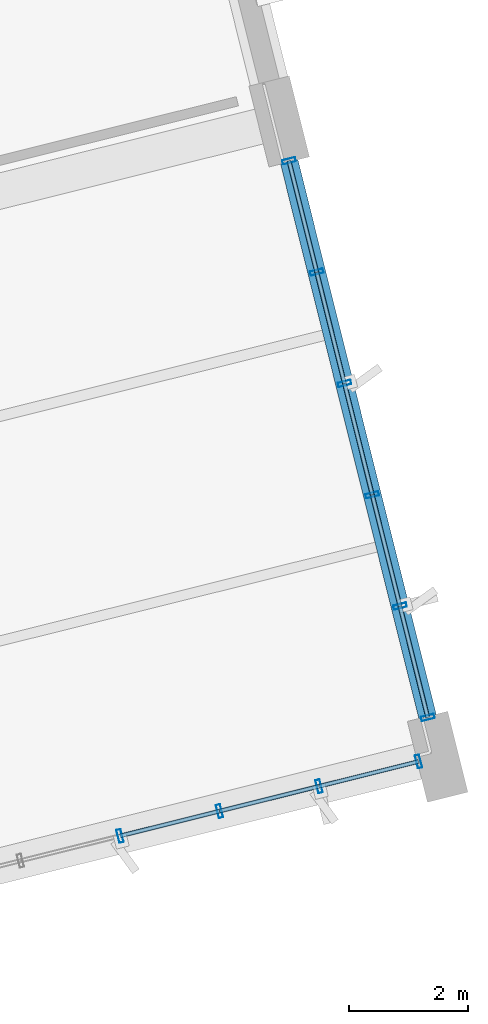
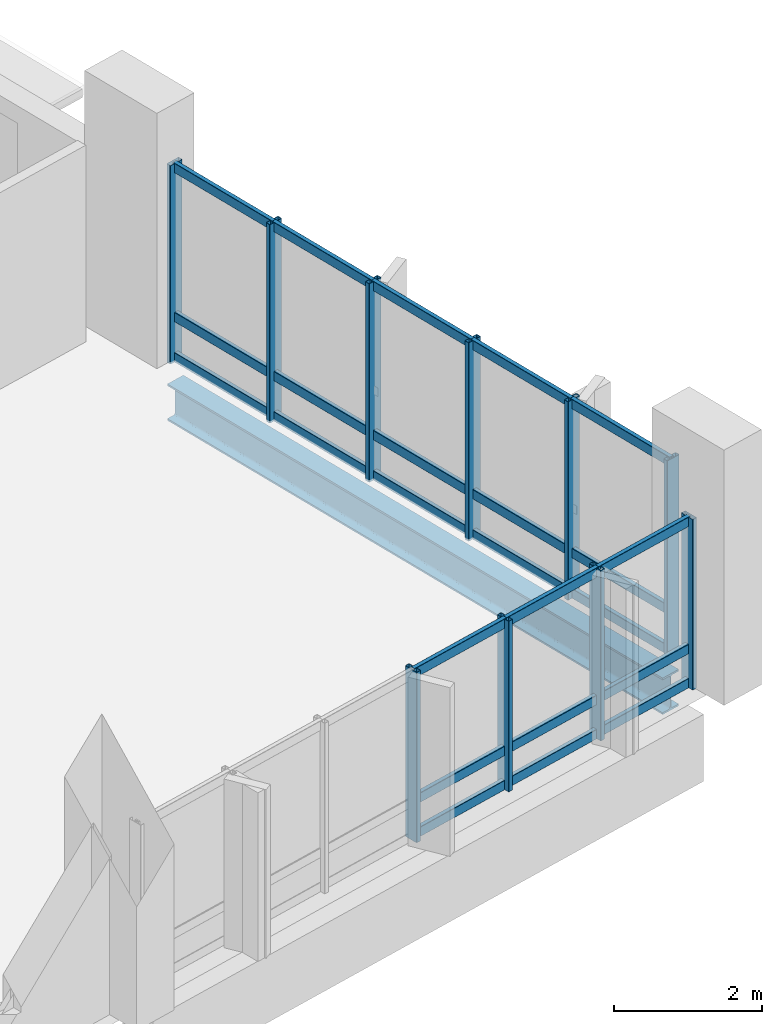
# One storey, part 36 of 75: 34 members, 1 beam, 2 elements without a shape of their own.
"""IFC4 building model written with IfcOpenShell, lengths in metres."""

from ifc_helpers import new_model, si_unit, direction, frame, origin, origin_2d, place, context, subcontext, project, spatial, hollow_rectangle, i_section, extrude, material, layer, layer_set, material_profile, profile_set, type_object, element, aggregate, save


model = new_model("IFC4")

# Units and contexts
model_context = context("Model", 3, precision=1e-05, world=origin(), true_north=direction((0.0, 1.0)))
body_context = subcontext(model_context, "Body", "Model", "MODEL_VIEW")
ifc_project = project(units=[si_unit("LENGTHUNIT", "METRE"), si_unit("AREAUNIT", "SQUARE_METRE"), si_unit("VOLUMEUNIT", "CUBIC_METRE"), si_unit("PLANEANGLEUNIT", "RADIAN"), si_unit("MASSUNIT", "GRAM", prefix="KILO")], contexts=[model_context])

# Site, building, storey
site_placement = place(None, origin())
site = spatial("IfcSite", under=ifc_project, at=site_placement, CompositionType="ELEMENT")
building_placement = place(site_placement, origin())
building = spatial("IfcBuilding", under=site, at=building_placement, Name="Khorjan Park Terminus", CompositionType="ELEMENT")
storey_placement = place(building_placement, frame((0.0, 0.0, 16.2)))
storey = spatial("IfcBuildingStorey", under=building, at=storey_placement, Name="L03", CompositionType="ELEMENT", Elevation=16.2)

# Beam
ifc_material_1 = material(Name="Steel S355", Category="steel")
ifc_material_profile_1 = material_profile(ifc_material_1, i_section(OverallWidth=0.3, OverallDepth=0.6, WebThickness=0.0155, FlangeThickness=0.03, FilletRadius=0.027, at=origin_2d()), Name="HEB 600")
ifc_profile_set_1 = profile_set([ifc_material_profile_1], Name="Steel S355")
beam_type = type_object("IfcBeamType", Name="BM-HEB600", PredefinedType="BEAM", material=ifc_profile_set_1)
beam_placement = place(storey_placement, frame((229.8714, 18.6412, -0.65), z_axis=(-0.241925915978, 0.970294723874, 0.0), x_axis=(-0.970294723874, -0.241925915978, 0.0)))
element("IfcBeam", 1, at=beam_placement, inside=storey, type_object=beam_type, Name="Primary skew-grid floor girder SB-B60 (L03)", PredefinedType="BEAM", context=body_context, shape_type="SweptSolid", body=[
    extrude(i_section(OverallWidth=0.3, OverallDepth=0.6, WebThickness=0.0155, FlangeThickness=0.03, FilletRadius=0.027, at=origin_2d()), origin(), (0.0, 0.0, 1.0), 9.61),
])

# Curtain wall, members
ifc_material_2 = material(Name="Anodized Bronze Aluminium", Category="aluminium")
ifc_layer = layer(ifc_material_2, 0.22)
ifc_layer_set = layer_set([ifc_layer], Name="Anodized Bronze Aluminium")
curtain_wall_type = type_object("IfcCurtainWallType", Name="CW-OPS-B", PredefinedType="NOTDEFINED", material=ifc_layer_set)
curtain_wall_1_placement = place(storey_placement, origin())
curtain_wall_1 = element("IfcCurtainWall", 2, at=curtain_wall_1_placement, inside=storey, type_object=curtain_wall_type, Name="Unitized curtain wall CW-B (CW-V5-S-L03-B05)", PredefinedType="NOTDEFINED")
ifc_material_profile_2 = material_profile(ifc_material_2, hollow_rectangle(XDim=0.075, YDim=0.225, WallThickness=0.005, InnerFilletRadius=0.005, OuterFilletRadius=0.01, at=origin_2d()), Name="ALM 75x225x5")
ifc_profile_set_2 = profile_set([ifc_material_profile_2], Name="Anodized Bronze Aluminium")
member_type_1 = type_object("IfcMemberType", Name="ML-ALM-225", PredefinedType="MULLION", material=ifc_profile_set_2)
member_1_placement = place(storey_placement, frame((224.703, 16.6363, -0.035), z_axis=(0.0, 0.0, 1.0), x_axis=(0.970296464407, 0.241918935098, 0.0)))
member_1 = element("IfcMember", 3, at=member_1_placement, type_object=member_type_1, Name="Curtain-wall mullion ML-22 (CW-V5-S-L03-B05-3)", PredefinedType="MULLION", context=body_context, shape_type="SweptSolid", body=[
    extrude(hollow_rectangle(XDim=0.075, YDim=0.225, WallThickness=0.005, InnerFilletRadius=0.005, OuterFilletRadius=0.01, at=origin_2d()), origin(), (0.0, 0.0, 1.0), 2.805),
])
member_2_placement = place(storey_placement, frame((226.3753, 17.0532, -0.035), z_axis=(0.0, 0.0, 1.0), x_axis=(0.970296464407, 0.241918935098, 0.0)))
member_2 = element("IfcMember", 4, at=member_2_placement, type_object=member_type_1, Name="Curtain-wall mullion ML-22 (CW-V5-S-L03-B05-4)", PredefinedType="MULLION", context=body_context, shape_type="SweptSolid", body=[
    extrude(hollow_rectangle(XDim=0.075, YDim=0.225, WallThickness=0.005, InnerFilletRadius=0.005, OuterFilletRadius=0.01, at=origin_2d()), origin(), (0.0, 0.0, 1.0), 2.805),
])
member_3_placement = place(storey_placement, frame((228.0476, 17.4702, -0.035), z_axis=(0.0, 0.0, 1.0), x_axis=(0.970296464407, 0.241918935098, 0.0)))
member_3 = element("IfcMember", 5, at=member_3_placement, type_object=member_type_1, Name="Curtain-wall mullion ML-22 (CW-V5-S-L03-B05-5)", PredefinedType="MULLION", context=body_context, shape_type="SweptSolid", body=[
    extrude(hollow_rectangle(XDim=0.075, YDim=0.225, WallThickness=0.005, InnerFilletRadius=0.005, OuterFilletRadius=0.01, at=origin_2d()), origin(), (0.0, 0.0, 1.0), 2.805),
])
member_4_placement = place(storey_placement, frame((229.7198, 17.8871, -0.035), z_axis=(0.0, 0.0, 1.0), x_axis=(0.970296464407, 0.241918935098, 0.0)))
member_4 = element("IfcMember", 6, at=member_4_placement, type_object=member_type_1, Name="Curtain-wall mullion ML-22 (CW-V5-S-L03-B05-6)", PredefinedType="MULLION", context=body_context, shape_type="SweptSolid", body=[
    extrude(hollow_rectangle(XDim=0.075, YDim=0.225, WallThickness=0.005, InnerFilletRadius=0.005, OuterFilletRadius=0.01, at=origin_2d()), origin(), (0.0, 0.0, 1.0), 2.805),
])

curtain_wall_2_placement = place(storey_placement, origin())
curtain_wall_2 = element("IfcCurtainWall", 7, at=curtain_wall_2_placement, inside=storey, type_object=curtain_wall_type, Name="Unitized curtain wall CW-B (CW-V5-E-L03-B01)", PredefinedType="NOTDEFINED")
member_5_placement = place(storey_placement, frame((229.875, 18.6267, -0.035), z_axis=(0.0, 0.0, 1.0), x_axis=(-0.241920488516, 0.9702960771, 0.0)))
member_5 = element("IfcMember", 8, at=member_5_placement, type_object=member_type_1, Name="Curtain-wall mullion ML-22 (CW-V5-E-L03-B01-0)", PredefinedType="MULLION", context=body_context, shape_type="SweptSolid", body=[
    extrude(hollow_rectangle(XDim=0.075, YDim=0.225, WallThickness=0.005, InnerFilletRadius=0.005, OuterFilletRadius=0.01, at=origin_2d()), origin(), (0.0, 0.0, 1.0), 3.265),
])
member_6_placement = place(storey_placement, frame((229.4086, 20.4974, -0.035), z_axis=(0.0, 0.0, 1.0), x_axis=(-0.241920488516, 0.9702960771, 0.0)))
member_6 = element("IfcMember", 9, at=member_6_placement, type_object=member_type_1, Name="Curtain-wall mullion ML-22 (CW-V5-E-L03-B01-1)", PredefinedType="MULLION", context=body_context, shape_type="SweptSolid", body=[
    extrude(hollow_rectangle(XDim=0.075, YDim=0.225, WallThickness=0.005, InnerFilletRadius=0.005, OuterFilletRadius=0.01, at=origin_2d()), origin(), (0.0, 0.0, 1.0), 3.265),
])
member_7_placement = place(storey_placement, frame((228.9422, 22.3681, -0.035), z_axis=(0.0, 0.0, 1.0), x_axis=(-0.241920488516, 0.9702960771, 0.0)))
member_7 = element("IfcMember", 10, at=member_7_placement, type_object=member_type_1, Name="Curtain-wall mullion ML-22 (CW-V5-E-L03-B01-2)", PredefinedType="MULLION", context=body_context, shape_type="SweptSolid", body=[
    extrude(hollow_rectangle(XDim=0.075, YDim=0.225, WallThickness=0.005, InnerFilletRadius=0.005, OuterFilletRadius=0.01, at=origin_2d()), origin(), (0.0, 0.0, 1.0), 3.265),
])
member_8_placement = place(storey_placement, frame((228.4757, 24.2389, -0.035), z_axis=(0.0, 0.0, 1.0), x_axis=(-0.241920488516, 0.9702960771, 0.0)))
member_8 = element("IfcMember", 11, at=member_8_placement, type_object=member_type_1, Name="Curtain-wall mullion ML-22 (CW-V5-E-L03-B01-3)", PredefinedType="MULLION", context=body_context, shape_type="SweptSolid", body=[
    extrude(hollow_rectangle(XDim=0.075, YDim=0.225, WallThickness=0.005, InnerFilletRadius=0.005, OuterFilletRadius=0.01, at=origin_2d()), origin(), (0.0, 0.0, 1.0), 3.265),
])
member_9_placement = place(storey_placement, frame((228.0093, 26.1096, -0.035), z_axis=(0.0, 0.0, 1.0), x_axis=(-0.241920488516, 0.9702960771, 0.0)))
member_9 = element("IfcMember", 12, at=member_9_placement, type_object=member_type_1, Name="Curtain-wall mullion ML-22 (CW-V5-E-L03-B01-4)", PredefinedType="MULLION", context=body_context, shape_type="SweptSolid", body=[
    extrude(hollow_rectangle(XDim=0.075, YDim=0.225, WallThickness=0.005, InnerFilletRadius=0.005, OuterFilletRadius=0.01, at=origin_2d()), origin(), (0.0, 0.0, 1.0), 3.265),
])
member_10_placement = place(storey_placement, frame((227.5429, 27.9803, -0.035), z_axis=(0.0, 0.0, 1.0), x_axis=(-0.241920488516, 0.9702960771, 0.0)))
member_10 = element("IfcMember", 13, at=member_10_placement, type_object=member_type_1, Name="Curtain-wall mullion ML-22 (CW-V5-E-L03-B01-5)", PredefinedType="MULLION", context=body_context, shape_type="SweptSolid", body=[
    extrude(hollow_rectangle(XDim=0.075, YDim=0.225, WallThickness=0.005, InnerFilletRadius=0.005, OuterFilletRadius=0.01, at=origin_2d()), origin(), (0.0, 0.0, 1.0), 3.265),
])

# Member
ifc_material_profile_3 = material_profile(ifc_material_2, hollow_rectangle(XDim=0.07, YDim=0.16, WallThickness=0.004, InnerFilletRadius=0.004, OuterFilletRadius=0.008, at=origin_2d()), Name="ALT 70x160x4")
ifc_profile_set_3 = profile_set([ifc_material_profile_3], Name="Anodized Bronze Aluminium")
member_type_2 = type_object("IfcMemberType", Name="TR-ALT-160", PredefinedType="USERDEFINED", material=ifc_profile_set_3)
member_11_placement = place(storey_placement, frame((224.703, 16.6363, 0.04), z_axis=(0.970302701845, 0.241893916402, 0.0), x_axis=(-0.241893916402, 0.970302701845, 0.0)))
member_11 = element("IfcMember", 14, at=member_11_placement, type_object=member_type_2, Name="Curtain-wall transom TR-16 (CW-V5-S-L03-B05-3-1)", ObjectType="TRANSOM", PredefinedType="USERDEFINED", context=body_context, shape_type="SweptSolid", body=[
    extrude(hollow_rectangle(XDim=0.07, YDim=0.16, WallThickness=0.004, InnerFilletRadius=0.004, OuterFilletRadius=0.008, at=origin_2d()), origin(), (0.0, 0.0, 1.0), 1.7235),
])

member_12_placement = place(storey_placement, frame((224.703, 16.6363, 0.602), z_axis=(0.970302701845, 0.241893916402, 0.0), x_axis=(-0.241893916402, 0.970302701845, 0.0)))
member_12 = element("IfcMember", 15, at=member_12_placement, type_object=member_type_2, Name="Curtain-wall transom TR-16 (CW-V5-S-L03-B05-3-2)", ObjectType="TRANSOM", PredefinedType="USERDEFINED", context=body_context, shape_type="SweptSolid", body=[
    extrude(hollow_rectangle(XDim=0.07, YDim=0.16, WallThickness=0.004, InnerFilletRadius=0.004, OuterFilletRadius=0.008, at=origin_2d()), origin(), (0.0, 0.0, 1.0), 1.7235),
])

member_13_placement = place(storey_placement, frame((224.703, 16.6363, 2.695), z_axis=(0.970302701845, 0.241893916402, 0.0), x_axis=(-0.241893916402, 0.970302701845, 0.0)))
member_13 = element("IfcMember", 16, at=member_13_placement, type_object=member_type_2, Name="Curtain-wall transom TR-16 (CW-V5-S-L03-B05-3-3)", ObjectType="TRANSOM", PredefinedType="USERDEFINED", context=body_context, shape_type="SweptSolid", body=[
    extrude(hollow_rectangle(XDim=0.07, YDim=0.16, WallThickness=0.004, InnerFilletRadius=0.004, OuterFilletRadius=0.008, at=origin_2d()), origin(), (0.0, 0.0, 1.0), 1.7235),
])

member_14_placement = place(storey_placement, frame((226.3753, 17.0532, 0.04), z_axis=(0.970289082125, 0.241948542275, 0.0), x_axis=(-0.241948542275, 0.970289082125, 0.0)))
member_14 = element("IfcMember", 17, at=member_14_placement, type_object=member_type_2, Name="Curtain-wall transom TR-16 (CW-V5-S-L03-B05-4-1)", ObjectType="TRANSOM", PredefinedType="USERDEFINED", context=body_context, shape_type="SweptSolid", body=[
    extrude(hollow_rectangle(XDim=0.07, YDim=0.16, WallThickness=0.004, InnerFilletRadius=0.004, OuterFilletRadius=0.008, at=origin_2d()), origin(), (0.0, 0.0, 1.0), 1.7235),
])

member_15_placement = place(storey_placement, frame((226.3753, 17.0532, 0.602), z_axis=(0.970289082125, 0.241948542275, 0.0), x_axis=(-0.241948542275, 0.970289082125, 0.0)))
member_15 = element("IfcMember", 18, at=member_15_placement, type_object=member_type_2, Name="Curtain-wall transom TR-16 (CW-V5-S-L03-B05-4-2)", ObjectType="TRANSOM", PredefinedType="USERDEFINED", context=body_context, shape_type="SweptSolid", body=[
    extrude(hollow_rectangle(XDim=0.07, YDim=0.16, WallThickness=0.004, InnerFilletRadius=0.004, OuterFilletRadius=0.008, at=origin_2d()), origin(), (0.0, 0.0, 1.0), 1.7235),
])

member_16_placement = place(storey_placement, frame((226.3753, 17.0532, 2.695), z_axis=(0.970289082125, 0.241948542275, 0.0), x_axis=(-0.241948542275, 0.970289082125, 0.0)))
member_16 = element("IfcMember", 19, at=member_16_placement, type_object=member_type_2, Name="Curtain-wall transom TR-16 (CW-V5-S-L03-B05-4-3)", ObjectType="TRANSOM", PredefinedType="USERDEFINED", context=body_context, shape_type="SweptSolid", body=[
    extrude(hollow_rectangle(XDim=0.07, YDim=0.16, WallThickness=0.004, InnerFilletRadius=0.004, OuterFilletRadius=0.008, at=origin_2d()), origin(), (0.0, 0.0, 1.0), 1.7235),
])

member_17_placement = place(storey_placement, frame((228.0476, 17.4702, 0.04), z_axis=(0.970299306534, 0.241907535518, 0.0), x_axis=(-0.241907535518, 0.970299306534, 0.0)))
member_17 = element("IfcMember", 20, at=member_17_placement, type_object=member_type_2, Name="Curtain-wall transom TR-16 (CW-V5-S-L03-B05-5-1)", ObjectType="TRANSOM", PredefinedType="USERDEFINED", context=body_context, shape_type="SweptSolid", body=[
    extrude(hollow_rectangle(XDim=0.07, YDim=0.16, WallThickness=0.004, InnerFilletRadius=0.004, OuterFilletRadius=0.008, at=origin_2d()), origin(), (0.0, 0.0, 1.0), 1.7234),
])

member_18_placement = place(storey_placement, frame((228.0476, 17.4702, 0.602), z_axis=(0.970299306534, 0.241907535518, 0.0), x_axis=(-0.241907535518, 0.970299306534, 0.0)))
member_18 = element("IfcMember", 21, at=member_18_placement, type_object=member_type_2, Name="Curtain-wall transom TR-16 (CW-V5-S-L03-B05-5-2)", ObjectType="TRANSOM", PredefinedType="USERDEFINED", context=body_context, shape_type="SweptSolid", body=[
    extrude(hollow_rectangle(XDim=0.07, YDim=0.16, WallThickness=0.004, InnerFilletRadius=0.004, OuterFilletRadius=0.008, at=origin_2d()), origin(), (0.0, 0.0, 1.0), 1.7234),
])

member_19_placement = place(storey_placement, frame((228.0476, 17.4702, 2.695), z_axis=(0.970299306534, 0.241907535518, 0.0), x_axis=(-0.241907535518, 0.970299306534, 0.0)))
member_19 = element("IfcMember", 22, at=member_19_placement, type_object=member_type_2, Name="Curtain-wall transom TR-16 (CW-V5-S-L03-B05-5-3)", ObjectType="TRANSOM", PredefinedType="USERDEFINED", context=body_context, shape_type="SweptSolid", body=[
    extrude(hollow_rectangle(XDim=0.07, YDim=0.16, WallThickness=0.004, InnerFilletRadius=0.004, OuterFilletRadius=0.008, at=origin_2d()), origin(), (0.0, 0.0, 1.0), 1.7234),
])

aggregate(curtain_wall_1, [member_1, member_2, member_3, member_4, member_11, member_12, member_13, member_14, member_15, member_16, member_17, member_18, member_19])

member_20_placement = place(storey_placement, frame((229.875, 18.6267, 0.04), z_axis=(-0.241913157049, 0.970297905, 0.0), x_axis=(-0.970297905, -0.241913157049, 0.0)))
member_20 = element("IfcMember", 23, at=member_20_placement, type_object=member_type_2, Name="Curtain-wall transom TR-16 (CW-V5-E-L03-B01-0-1)", ObjectType="TRANSOM", PredefinedType="USERDEFINED", context=body_context, shape_type="SweptSolid", body=[
    extrude(hollow_rectangle(XDim=0.07, YDim=0.16, WallThickness=0.004, InnerFilletRadius=0.004, OuterFilletRadius=0.008, at=origin_2d()), origin(), (0.0, 0.0, 1.0), 1.928),
])

member_21_placement = place(storey_placement, frame((229.875, 18.6267, 0.703), z_axis=(-0.241913157049, 0.970297905, 0.0), x_axis=(-0.970297905, -0.241913157049, 0.0)))
member_21 = element("IfcMember", 24, at=member_21_placement, type_object=member_type_2, Name="Curtain-wall transom TR-16 (CW-V5-E-L03-B01-0-2)", ObjectType="TRANSOM", PredefinedType="USERDEFINED", context=body_context, shape_type="SweptSolid", body=[
    extrude(hollow_rectangle(XDim=0.07, YDim=0.16, WallThickness=0.004, InnerFilletRadius=0.004, OuterFilletRadius=0.008, at=origin_2d()), origin(), (0.0, 0.0, 1.0), 1.928),
])

member_22_placement = place(storey_placement, frame((229.875, 18.6267, 3.155), z_axis=(-0.241913157049, 0.970297905, 0.0), x_axis=(-0.970297905, -0.241913157049, 0.0)))
member_22 = element("IfcMember", 25, at=member_22_placement, type_object=member_type_2, Name="Curtain-wall transom TR-16 (CW-V5-E-L03-B01-0-3)", ObjectType="TRANSOM", PredefinedType="USERDEFINED", context=body_context, shape_type="SweptSolid", body=[
    extrude(hollow_rectangle(XDim=0.07, YDim=0.16, WallThickness=0.004, InnerFilletRadius=0.004, OuterFilletRadius=0.008, at=origin_2d()), origin(), (0.0, 0.0, 1.0), 1.928),
])

member_23_placement = place(storey_placement, frame((229.4086, 20.4974, 0.04), z_axis=(-0.241913157049, 0.970297905, 0.0), x_axis=(-0.970297905, -0.241913157049, 0.0)))
member_23 = element("IfcMember", 26, at=member_23_placement, type_object=member_type_2, Name="Curtain-wall transom TR-16 (CW-V5-E-L03-B01-1-1)", ObjectType="TRANSOM", PredefinedType="USERDEFINED", context=body_context, shape_type="SweptSolid", body=[
    extrude(hollow_rectangle(XDim=0.07, YDim=0.16, WallThickness=0.004, InnerFilletRadius=0.004, OuterFilletRadius=0.008, at=origin_2d()), origin(), (0.0, 0.0, 1.0), 1.928),
])

member_24_placement = place(storey_placement, frame((229.4086, 20.4974, 0.703), z_axis=(-0.241913157049, 0.970297905, 0.0), x_axis=(-0.970297905, -0.241913157049, 0.0)))
member_24 = element("IfcMember", 27, at=member_24_placement, type_object=member_type_2, Name="Curtain-wall transom TR-16 (CW-V5-E-L03-B01-1-2)", ObjectType="TRANSOM", PredefinedType="USERDEFINED", context=body_context, shape_type="SweptSolid", body=[
    extrude(hollow_rectangle(XDim=0.07, YDim=0.16, WallThickness=0.004, InnerFilletRadius=0.004, OuterFilletRadius=0.008, at=origin_2d()), origin(), (0.0, 0.0, 1.0), 1.928),
])

member_25_placement = place(storey_placement, frame((229.4086, 20.4974, 3.155), z_axis=(-0.241913157049, 0.970297905, 0.0), x_axis=(-0.970297905, -0.241913157049, 0.0)))
member_25 = element("IfcMember", 28, at=member_25_placement, type_object=member_type_2, Name="Curtain-wall transom TR-16 (CW-V5-E-L03-B01-1-3)", ObjectType="TRANSOM", PredefinedType="USERDEFINED", context=body_context, shape_type="SweptSolid", body=[
    extrude(hollow_rectangle(XDim=0.07, YDim=0.16, WallThickness=0.004, InnerFilletRadius=0.004, OuterFilletRadius=0.008, at=origin_2d()), origin(), (0.0, 0.0, 1.0), 1.928),
])

member_26_placement = place(storey_placement, frame((228.9422, 22.3681, 0.04), z_axis=(-0.241949812413, 0.970288765406, 0.0), x_axis=(-0.970288765406, -0.241949812413, 0.0)))
member_26 = element("IfcMember", 29, at=member_26_placement, type_object=member_type_2, Name="Curtain-wall transom TR-16 (CW-V5-E-L03-B01-2-1)", ObjectType="TRANSOM", PredefinedType="USERDEFINED", context=body_context, shape_type="SweptSolid", body=[
    extrude(hollow_rectangle(XDim=0.07, YDim=0.16, WallThickness=0.004, InnerFilletRadius=0.004, OuterFilletRadius=0.008, at=origin_2d()), origin(), (0.0, 0.0, 1.0), 1.9281),
])

member_27_placement = place(storey_placement, frame((228.9422, 22.3681, 0.703), z_axis=(-0.241949812413, 0.970288765406, 0.0), x_axis=(-0.970288765406, -0.241949812413, 0.0)))
member_27 = element("IfcMember", 30, at=member_27_placement, type_object=member_type_2, Name="Curtain-wall transom TR-16 (CW-V5-E-L03-B01-2-2)", ObjectType="TRANSOM", PredefinedType="USERDEFINED", context=body_context, shape_type="SweptSolid", body=[
    extrude(hollow_rectangle(XDim=0.07, YDim=0.16, WallThickness=0.004, InnerFilletRadius=0.004, OuterFilletRadius=0.008, at=origin_2d()), origin(), (0.0, 0.0, 1.0), 1.9281),
])

member_28_placement = place(storey_placement, frame((228.9422, 22.3681, 3.155), z_axis=(-0.241949812413, 0.970288765406, 0.0), x_axis=(-0.970288765406, -0.241949812413, 0.0)))
member_28 = element("IfcMember", 31, at=member_28_placement, type_object=member_type_2, Name="Curtain-wall transom TR-16 (CW-V5-E-L03-B01-2-3)", ObjectType="TRANSOM", PredefinedType="USERDEFINED", context=body_context, shape_type="SweptSolid", body=[
    extrude(hollow_rectangle(XDim=0.07, YDim=0.16, WallThickness=0.004, InnerFilletRadius=0.004, OuterFilletRadius=0.008, at=origin_2d()), origin(), (0.0, 0.0, 1.0), 1.9281),
])

member_29_placement = place(storey_placement, frame((228.4757, 24.2389, 0.04), z_axis=(-0.241913157049, 0.970297905, 0.0), x_axis=(-0.970297905, -0.241913157049, 0.0)))
member_29 = element("IfcMember", 32, at=member_29_placement, type_object=member_type_2, Name="Curtain-wall transom TR-16 (CW-V5-E-L03-B01-3-1)", ObjectType="TRANSOM", PredefinedType="USERDEFINED", context=body_context, shape_type="SweptSolid", body=[
    extrude(hollow_rectangle(XDim=0.07, YDim=0.16, WallThickness=0.004, InnerFilletRadius=0.004, OuterFilletRadius=0.008, at=origin_2d()), origin(), (0.0, 0.0, 1.0), 1.928),
])

member_30_placement = place(storey_placement, frame((228.4757, 24.2389, 0.703), z_axis=(-0.241913157049, 0.970297905, 0.0), x_axis=(-0.970297905, -0.241913157049, 0.0)))
member_30 = element("IfcMember", 33, at=member_30_placement, type_object=member_type_2, Name="Curtain-wall transom TR-16 (CW-V5-E-L03-B01-3-2)", ObjectType="TRANSOM", PredefinedType="USERDEFINED", context=body_context, shape_type="SweptSolid", body=[
    extrude(hollow_rectangle(XDim=0.07, YDim=0.16, WallThickness=0.004, InnerFilletRadius=0.004, OuterFilletRadius=0.008, at=origin_2d()), origin(), (0.0, 0.0, 1.0), 1.928),
])

member_31_placement = place(storey_placement, frame((228.4757, 24.2389, 3.155), z_axis=(-0.241913157049, 0.970297905, 0.0), x_axis=(-0.970297905, -0.241913157049, 0.0)))
member_31 = element("IfcMember", 34, at=member_31_placement, type_object=member_type_2, Name="Curtain-wall transom TR-16 (CW-V5-E-L03-B01-3-3)", ObjectType="TRANSOM", PredefinedType="USERDEFINED", context=body_context, shape_type="SweptSolid", body=[
    extrude(hollow_rectangle(XDim=0.07, YDim=0.16, WallThickness=0.004, InnerFilletRadius=0.004, OuterFilletRadius=0.008, at=origin_2d()), origin(), (0.0, 0.0, 1.0), 1.928),
])

member_32_placement = place(storey_placement, frame((228.0093, 26.1096, 0.04), z_axis=(-0.241913157049, 0.970297905, 0.0), x_axis=(-0.970297905, -0.241913157049, 0.0)))
member_32 = element("IfcMember", 35, at=member_32_placement, type_object=member_type_2, Name="Curtain-wall transom TR-16 (CW-V5-E-L03-B01-4-1)", ObjectType="TRANSOM", PredefinedType="USERDEFINED", context=body_context, shape_type="SweptSolid", body=[
    extrude(hollow_rectangle(XDim=0.07, YDim=0.16, WallThickness=0.004, InnerFilletRadius=0.004, OuterFilletRadius=0.008, at=origin_2d()), origin(), (0.0, 0.0, 1.0), 1.928),
])

member_33_placement = place(storey_placement, frame((228.0093, 26.1096, 0.703), z_axis=(-0.241913157049, 0.970297905, 0.0), x_axis=(-0.970297905, -0.241913157049, 0.0)))
member_33 = element("IfcMember", 36, at=member_33_placement, type_object=member_type_2, Name="Curtain-wall transom TR-16 (CW-V5-E-L03-B01-4-2)", ObjectType="TRANSOM", PredefinedType="USERDEFINED", context=body_context, shape_type="SweptSolid", body=[
    extrude(hollow_rectangle(XDim=0.07, YDim=0.16, WallThickness=0.004, InnerFilletRadius=0.004, OuterFilletRadius=0.008, at=origin_2d()), origin(), (0.0, 0.0, 1.0), 1.928),
])

member_34_placement = place(storey_placement, frame((228.0093, 26.1096, 3.155), z_axis=(-0.241913157049, 0.970297905, 0.0), x_axis=(-0.970297905, -0.241913157049, 0.0)))
member_34 = element("IfcMember", 37, at=member_34_placement, type_object=member_type_2, Name="Curtain-wall transom TR-16 (CW-V5-E-L03-B01-4-3)", ObjectType="TRANSOM", PredefinedType="USERDEFINED", context=body_context, shape_type="SweptSolid", body=[
    extrude(hollow_rectangle(XDim=0.07, YDim=0.16, WallThickness=0.004, InnerFilletRadius=0.004, OuterFilletRadius=0.008, at=origin_2d()), origin(), (0.0, 0.0, 1.0), 1.928),
])

aggregate(curtain_wall_2, [member_5, member_6, member_7, member_8, member_9, member_10, member_20, member_21, member_22, member_23, member_24, member_25, member_26, member_27, member_28, member_29, member_30, member_31, member_32, member_33, member_34])

save(model, "model.ifc")
